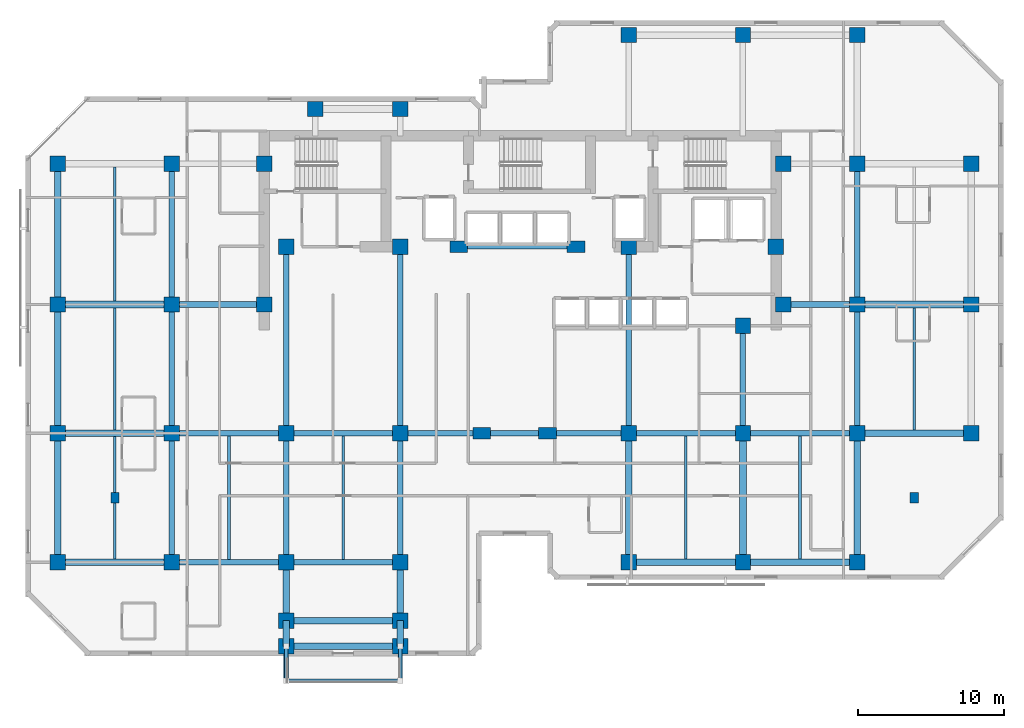
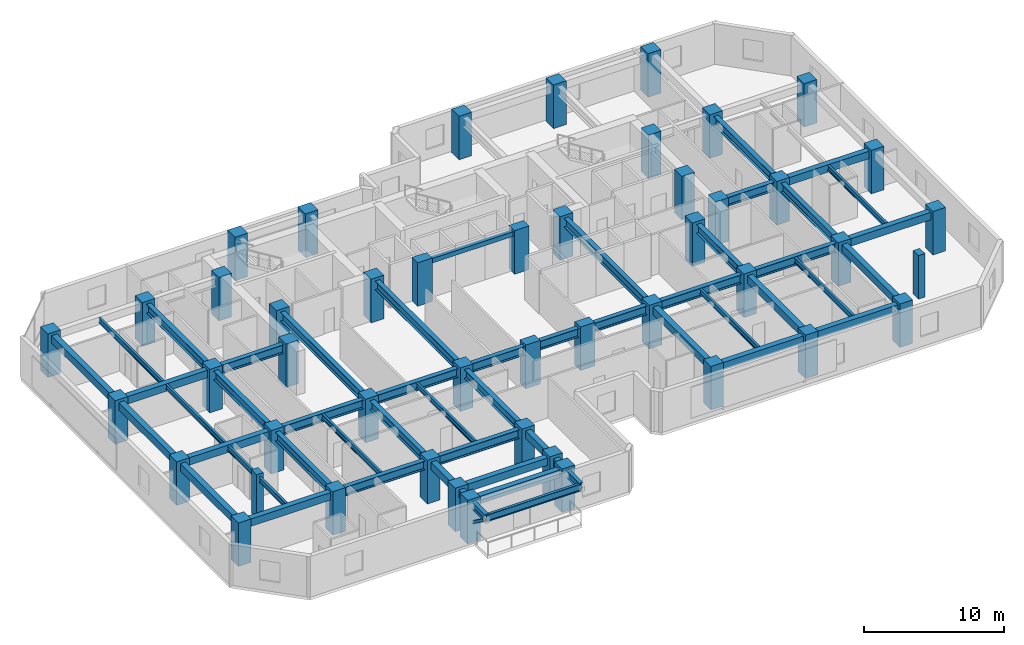
# One storey, part 1 of 11: 53 beams, 47 columns, 2 members.
"""IFC4 building model written with IfcOpenShell, lengths in metres."""

from ifc_helpers import new_model, si_unit, direction, frame, origin, origin_2d, place, context, subcontext, project, spatial, rectangle, hollow_rectangle, i_section, extrude, material, material_profile, profile_set, type_object, element, save


model = new_model("IFC4")

# Units and contexts
model_context = context("Model", 3, precision=1e-05, world=origin(), true_north=direction((0.0, 1.0)))
body_context = subcontext(model_context, "Body", "Model", "MODEL_VIEW")
ifc_project = project(units=[si_unit("LENGTHUNIT", "METRE"), si_unit("AREAUNIT", "SQUARE_METRE"), si_unit("VOLUMEUNIT", "CUBIC_METRE"), si_unit("PLANEANGLEUNIT", "RADIAN"), si_unit("MASSUNIT", "GRAM", prefix="KILO")], contexts=[model_context])

# Site, building, storey
site_placement = place(None, origin())
site = spatial("IfcSite", under=ifc_project, at=site_placement, CompositionType="ELEMENT")
building_placement = place(site_placement, origin())
building = spatial("IfcBuilding", under=site, at=building_placement, Name="Kestravale Grand Hotel", CompositionType="ELEMENT")
storey_placement = place(building_placement, frame((0.0, 0.0, 165.0)))
storey = spatial("IfcBuildingStorey", under=building, at=storey_placement, Name="L41", CompositionType="ELEMENT", Elevation=165.0)

# Columns
ifc_material_1 = material(Name="Concrete f'c 60 MPa", Category="concrete")
ifc_material_profile_1 = material_profile(ifc_material_1, rectangle(XDim=1.050048828125, YDim=1.050048828125, at=origin_2d()))
ifc_profile_set_1 = profile_set([ifc_material_profile_1], Name="Concrete f'c 60 MPa")
column_type_1 = type_object("IfcColumnType", Name="C-Z3-1050", PredefinedType="COLUMN", material=ifc_profile_set_1)
for number, where, z_axis, x_axis, name in (
    (1, (7.800048828125, 11.199951171875, 0.0), (0.0, 0.0, 1.0), (1.0, 0.0, 0.0), "L41 column 2-C"),
    (2, (7.800048828125, 20.0, 0.0), (0.0, 0.0, 1.0), (1.0, 0.0, 0.0), "L41 column 2-D"),
    (3, (7.800048828125, 28.800048828125, 0.0), (0.0, 0.0, 1.0), (1.0, 0.0, 0.0), "L41 column 2-E"),
    (4, (7.800048828125, 38.39990234375, 0.0), (0.0, 0.0, 1.0), (1.0, 0.0, 0.0), "L41 column 2-F"),
    (5, (15.60009765625, 11.199951171875, 0.0), (0.0, 0.0, 1.0), (1.0, 0.0, 0.0), "L41 column 3-C"),
    (6, (15.60009765625, 20.0, 0.0), (0.0, 0.0, 1.0), (1.0, 0.0, 0.0), "L41 column 3-D"),
    (7, (15.60009765625, 28.800048828125, 0.0), (0.0, 0.0, 1.0), (1.0, 0.0, 0.0), "L41 column 3-E"),
    (8, (15.60009765625, 38.39990234375, 0.0), (0.0, 0.0, 1.0), (1.0, 0.0, 0.0), "L41 column 3-F"),
    (9, (23.39990234375, 11.199951171875, 0.0), (0.0, 0.0, 1.0), (1.0, 0.0, 0.0), "L41 column 4-C"),
    (10, (23.39990234375, 20.0, 0.0), (0.0, 0.0, 1.0), (1.0, 0.0, 0.0), "L41 column 4-D"),
    (11, (31.199951171875, 11.199951171875, 0.0), (0.0, 0.0, 1.0), (1.0, 0.0, 0.0), "L41 column 5-C"),
    (12, (31.199951171875, 20.0, 0.0), (0.0, 0.0, 1.0), (1.0, 0.0, 0.0), "L41 column 5-D"),
    (13, (46.800048828125, 11.199951171875, 0.0), (0.0, 0.0, 1.0), (1.0, 0.0, 0.0), "L41 column 8-C"),
    (14, (46.800048828125, 20.0, 0.0), (0.0, 0.0, 1.0), (1.0, 0.0, 0.0), "L41 column 8-D"),
    (15, (46.800048828125, 47.199951171875, 0.0), (0.0, 0.0, 1.0), (1.0, 0.0, 0.0), "L41 column 8-G"),
    (16, (54.60009765625, 11.199951171875, 0.0), (0.0, 0.0, 1.0), (1.0, 0.0, 0.0), "L41 column 9-C"),
    (17, (54.60009765625, 20.0, 0.0), (0.0, 0.0, 1.0), (1.0, 0.0, 0.0), "L41 column 9-D"),
    (18, (54.60009765625, 47.199951171875, 0.0), (0.0, 0.0, 1.0), (1.0, 0.0, 0.0), "L41 column 9-G"),
    (19, (62.39990234375, 11.199951171875, 0.0), (0.0, 0.0, 1.0), (1.0, 0.0, 0.0), "L41 column 10-C"),
    (20, (62.39990234375, 20.0, 0.0), (0.0, 0.0, 1.0), (1.0, 0.0, 0.0), "L41 column 10-D"),
    (21, (62.39990234375, 28.800048828125, 0.0), (0.0, 0.0, 1.0), (1.0, 0.0, 0.0), "L41 column 10-E"),
    (22, (62.39990234375, 38.39990234375, 0.0), (0.0, 0.0, 1.0), (1.0, 0.0, 0.0), "L41 column 10-F"),
    (23, (62.39990234375, 47.199951171875, 0.0), (0.0, 0.0, 1.0), (1.0, 0.0, 0.0), "L41 column 10-G"),
    (24, (70.199951171875, 20.0, 0.0), (0.0, 0.0, 1.0), (1.0, 0.0, 0.0), "L41 column 11-D"),
    (25, (70.199951171875, 28.800048828125, 0.0), (0.0, 0.0, 1.0), (1.0, 0.0, 0.0), "L41 column 11-E"),
    (26, (70.199951171875, 38.39990234375, 0.0), (0.0, 0.0, 1.0), (1.0, 0.0, 0.0), "L41 column 11-F"),
    (27, (21.89990234375, 28.800048828125, 0.0), (0.0, 0.0, 1.0), (1.0, 0.0, 0.0), "L41 column CW-E"),
    (28, (21.89990234375, 38.39990234375, 0.0), (0.0, 0.0, 1.0), (1.0, 0.0, 0.0), "L41 column CW-F"),
    (29, (57.35009765625, 28.800048828125, 0.0), (0.0, 0.0, 1.0), (1.0, 0.0, 0.0), "L41 column CE-E"),
    (30, (57.35009765625, 38.39990234375, 0.0), (0.0, 0.0, 1.0), (1.0, 0.0, 0.0), "L41 column CE-F"),
    (31, (23.39990234375, 32.75, 0.0), (0.0, 0.0, 1.0), (1.0, 0.0, 0.0), "L41 column 4-CS"),
    (32, (31.199951171875, 32.75, 0.0), (0.0, 0.0, 1.0), (1.0, 0.0, 0.0), "L41 column 5-CS"),
    (33, (46.800048828125, 32.75, 0.0), (0.0, 0.0, 1.0), (1.0, 0.0, 0.0), "L41 column 8-CS"),
    (34, (54.60009765625, 27.35009765625, 0.0), (0.0, 0.0, 1.0), (1.0, 0.0, 0.0), "L41 column 9-CS"),
    (35, (56.85009765625, 32.75, 0.0), (0.0, 0.0, 1.0), (1.0, 0.0, 0.0), "L41 column 9C-CS"),
    (36, (23.39990234375, 7.199951171875, 0.0), (0.0, 0.0, 1.0), (1.0, 0.0, 0.0), "L41 column 4-BS"),
    (37, (31.199951171875, 7.199951171875, 0.0), (0.0, 0.0, 1.0), (1.0, 0.0, 0.0), "L41 column 5-BS"),
    (38, (25.39990234375, 42.14990234375, 0.0), (0.0, 0.0, 1.0), (1.0, 0.0, 0.0), "L41 column 4-FN"),
    (39, (31.199951171875, 42.14990234375, 0.0), (0.0, 0.0, 1.0), (1.0, 0.0, 0.0), "L41 column 5-FN"),
    (40, (23.39990234375, 5.449951171875, 0.0), (0.0, 0.0, 1.0), (1.0, 0.0, 0.0), "L41 column 4-B1S"),
    (41, (31.199951171875, 5.449951171875, 0.0), (0.0, 0.0, 1.0), (1.0, 0.0, 0.0), "L41 column 5-B1S"),
):
    element("IfcColumn", number, at=place(storey_placement, frame(where, z_axis=z_axis, x_axis=x_axis)), inside=storey, type_object=column_type_1, Name=name, PredefinedType="COLUMN", context=body_context, shape_type="SweptSolid", body=[
        extrude(rectangle(XDim=1.050048828125, YDim=1.050048828125, at=origin_2d()), origin(), (0.0, 0.0, 1.0), 3.800048828125),
    ])
ifc_material_2 = material(Name="Concrete f'c 60 MPa", Category="concrete")
ifc_material_profile_2 = material_profile(ifc_material_2, rectangle(XDim=1.199951171875, YDim=0.800048828125, at=origin_2d()))
ifc_profile_set_2 = profile_set([ifc_material_profile_2], Name="Concrete f'c 60 MPa")
column_type_2 = type_object("IfcColumnType", Name="C-Z3-1200X800", PredefinedType="COLUMN", material=ifc_profile_set_2)
for number, where, z_axis, x_axis, name in (
    (42, (36.75, 20.0, 0.0), (0.0, 0.0, 1.0), (1.0, 0.0, 0.0), "L41 column 6-D"),
    (43, (41.25, 20.0, 0.0), (0.0, 0.0, 1.0), (1.0, 0.0, 0.0), "L41 column 7-D"),
    (44, (35.199951171875, 32.75, 0.0), (0.0, 0.0, 1.0), (1.0, 0.0, 0.0), "L41 column 6C-CS"),
    (45, (43.199951171875, 32.75, 0.0), (0.0, 0.0, 1.0), (1.0, 0.0, 0.0), "L41 column 7C-CS"),
):
    element("IfcColumn", number, at=place(storey_placement, frame(where, z_axis=z_axis, x_axis=x_axis)), inside=storey, type_object=column_type_2, Name=name, PredefinedType="COLUMN", context=body_context, shape_type="SweptSolid", body=[
        extrude(rectangle(XDim=1.199951171875, YDim=0.800048828125, at=origin_2d()), origin(), (0.0, 0.0, 1.0), 3.800048828125),
    ])
ifc_material_3 = material(Name="Precast concrete f'c 45 MPa", Category="concrete")
ifc_material_profile_3 = material_profile(ifc_material_3, rectangle(XDim=0.550048828125, YDim=0.75, at=origin_2d()))
ifc_profile_set_3 = profile_set([ifc_material_profile_3], Name="Precast concrete f'c 45 MPa")
column_type_3 = type_object("IfcColumnType", Name="C-Z3-PIL750", PredefinedType="PILASTER", material=ifc_profile_set_3)
for number, where, z_axis, x_axis, name in (
    (46, (11.699951171875, 15.60009765625, 0.0), (0.0, 0.0, 1.0), (1.0, 0.0, 0.0), "L41 Art Deco fluted pilaster P1"),
    (47, (66.300048828125, 15.60009765625, 0.0), (0.0, 0.0, 1.0), (1.0, 0.0, 0.0), "L41 Art Deco fluted pilaster P2"),
):
    element("IfcColumn", number, at=place(storey_placement, frame(where, z_axis=z_axis, x_axis=x_axis)), inside=storey, type_object=column_type_3, Name=name, PredefinedType="PILASTER", context=body_context, shape_type="SweptSolid", body=[
        extrude(rectangle(XDim=0.550048828125, YDim=0.75, at=origin_2d()), origin(), (0.0, 0.0, 1.0), 3.800048828125),
    ])

# Beams
ifc_material_4 = material(Name="Steel ASTM A992 Grade 50", Category="steel")
ifc_material_profile_4 = material_profile(ifc_material_4, i_section(OverallWidth=0.19091796875, OverallDepth=0.45703125, WebThickness=0.009033203125, FlangeThickness=0.014404296875, FilletRadius=0.015380859375, at=origin_2d()))
ifc_profile_set_4 = profile_set([ifc_material_profile_4], Name="Steel ASTM A992 Grade 50")
beam_type_1 = type_object("IfcBeamType", Name="B-FLR-JST18", PredefinedType="JOIST", material=ifc_profile_set_4)
for number, where, z_axis, x_axis, name in (
    (48, (11.699951171875, 11.425048828125, 3.321533203125), (0.0, 1.0, 0.0), (-1.0, 0.0, 0.0), "L41 floor joist 2-3/C-D #1"),
    (49, (11.699951171875, 20.22509765625, 3.321533203125), (0.0, 1.0, 0.0), (-1.0, 0.0, 0.0), "L41 floor joist 2-3/D-E #1"),
):
    element("IfcBeam", number, at=place(storey_placement, frame(where, z_axis=z_axis, x_axis=x_axis)), inside=storey, type_object=beam_type_1, Name=name, PredefinedType="JOIST", context=body_context, shape_type="SweptSolid", body=[
        extrude(i_section(OverallWidth=0.19091796875, OverallDepth=0.45703125, WebThickness=0.009033203125, FlangeThickness=0.014404296875, FilletRadius=0.015380859375, at=origin_2d()), origin(), (0.0, 0.0, 1.0), 8.349853515625),
    ])
beam_1_placement = place(storey_placement, frame((11.699951171875, 29.02490234375, 3.321533203125), z_axis=(0.0, 1.0, 0.0), x_axis=(-1.0, 0.0, 0.0)))
element("IfcBeam", 50, at=beam_1_placement, inside=storey, type_object=beam_type_1, Name="L41 floor joist 2-3/E-F #1", PredefinedType="JOIST", context=body_context, shape_type="SweptSolid", body=[
    extrude(i_section(OverallWidth=0.19091796875, OverallDepth=0.45703125, WebThickness=0.009033203125, FlangeThickness=0.014404296875, FilletRadius=0.015380859375, at=origin_2d()), origin(), (0.0, 0.0, 1.0), 9.150146484375),
])
for number, where, z_axis, x_axis, name in (
    (51, (19.5, 11.390380859375, 3.321533203125), (0.0, 1.0, 0.0), (-1.0, 0.0, 0.0), "L41 floor joist 3-4/C-D #1"),
    (52, (27.300048828125, 11.390380859375, 3.321533203125), (0.0, 1.0, 0.0), (-1.0, 0.0, 0.0), "L41 floor joist 4-5/C-D #1"),
):
    element("IfcBeam", number, at=place(storey_placement, frame(where, z_axis=z_axis, x_axis=x_axis)), inside=storey, type_object=beam_type_1, Name=name, PredefinedType="JOIST", context=body_context, shape_type="SweptSolid", body=[
        extrude(i_section(OverallWidth=0.19091796875, OverallDepth=0.45703125, WebThickness=0.009033203125, FlangeThickness=0.014404296875, FilletRadius=0.015380859375, at=origin_2d()), origin(), (0.0, 0.0, 1.0), 8.419189453125),
    ])
for number, where, z_axis, x_axis, name in (
    (53, (50.699951171875, 11.425048828125, 3.321533203125), (0.0, 1.0, 0.0), (-1.0, 0.0, 0.0), "L41 floor joist 8-9/C-D #1"),
    (54, (58.5, 11.425048828125, 3.321533203125), (0.0, 1.0, 0.0), (-1.0, 0.0, 0.0), "L41 floor joist 9-10/C-D #1"),
):
    element("IfcBeam", number, at=place(storey_placement, frame(where, z_axis=z_axis, x_axis=x_axis)), inside=storey, type_object=beam_type_1, Name=name, PredefinedType="JOIST", context=body_context, shape_type="SweptSolid", body=[
        extrude(i_section(OverallWidth=0.19091796875, OverallDepth=0.45703125, WebThickness=0.009033203125, FlangeThickness=0.014404296875, FilletRadius=0.015380859375, at=origin_2d()), origin(), (0.0, 0.0, 1.0), 8.384521484375),
    ])
beam_2_placement = place(storey_placement, frame((66.300048828125, 20.22509765625, 3.321533203125), z_axis=(0.0, 1.0, 0.0), x_axis=(-1.0, 0.0, 0.0)))
element("IfcBeam", 55, at=beam_2_placement, inside=storey, type_object=beam_type_1, Name="L41 floor joist 10-11/D-E #1", PredefinedType="JOIST", context=body_context, shape_type="SweptSolid", body=[
    extrude(i_section(OverallWidth=0.19091796875, OverallDepth=0.45703125, WebThickness=0.009033203125, FlangeThickness=0.014404296875, FilletRadius=0.015380859375, at=origin_2d()), origin(), (0.0, 0.0, 1.0), 8.349853515625),
])
ifc_material_5 = material(Name="Concrete f'c 45 MPa", Category="concrete")
ifc_material_profile_5 = material_profile(ifc_material_5, rectangle(XDim=0.300048828125, YDim=0.39990234375, at=origin_2d()))
ifc_profile_set_5 = profile_set([ifc_material_profile_5], Name="Concrete f'c 45 MPa")
beam_type_2 = type_object("IfcBeamType", Name="B-FLR-LNT400", PredefinedType="LINTEL", material=ifc_profile_set_5)
beam_3_placement = place(storey_placement, frame((35.199951171875, 32.75, 3.35009765625), z_axis=(1.0, 0.0, 0.0), x_axis=(0.0, 1.0, 0.0)))
element("IfcBeam", 56, at=beam_3_placement, inside=storey, type_object=beam_type_2, Name="L41 core portal header lintel", PredefinedType="LINTEL", context=body_context, shape_type="SweptSolid", body=[
    extrude(rectangle(XDim=0.300048828125, YDim=0.39990234375, at=origin_2d()), origin(), (0.0, 0.0, 1.0), 8.0),
])
ifc_material_6 = material(Name="Concrete f'c 45 MPa", Category="concrete")
ifc_material_profile_6 = material_profile(ifc_material_6, rectangle(XDim=0.449951171875, YDim=0.64990234375, at=origin_2d()))
ifc_profile_set_6 = profile_set([ifc_material_profile_6], Name="Concrete f'c 45 MPa")
beam_type_3 = type_object("IfcBeamType", Name="B-FLR-RC650", PredefinedType="SPANDREL", material=ifc_profile_set_6)
for number, where, z_axis, x_axis, name in (
    (57, (7.800048828125, 11.199951171875, 3.22509765625), (1.0, 0.0, 0.0), (0.0, 1.0, 0.0), "L41 spandrel C:2-3"),
    (58, (46.800048828125, 11.199951171875, 3.22509765625), (1.0, 0.0, 0.0), (0.0, 1.0, 0.0), "L41 spandrel C:8-9"),
):
    element("IfcBeam", number, at=place(storey_placement, frame(where, z_axis=z_axis, x_axis=x_axis)), inside=storey, type_object=beam_type_3, Name=name, PredefinedType="SPANDREL", context=body_context, shape_type="SweptSolid", body=[
        extrude(rectangle(XDim=0.449951171875, YDim=0.64990234375, at=origin_2d()), origin(), (0.0, 0.0, 1.0), 7.800048828125),
    ])
beam_4_placement = place(storey_placement, frame((54.60009765625, 11.199951171875, 3.22509765625), z_axis=(1.0, 0.0, 0.0), x_axis=(0.0, 1.0, 0.0)))
element("IfcBeam", 59, at=beam_4_placement, inside=storey, type_object=beam_type_3, Name="L41 spandrel C:9-10", PredefinedType="SPANDREL", context=body_context, shape_type="SweptSolid", body=[
    extrude(rectangle(XDim=0.449951171875, YDim=0.64990234375, at=origin_2d()), origin(), (0.0, 0.0, 1.0), 7.7998046875),
])
for number, where, z_axis, x_axis, name in (
    (60, (7.800048828125, 20.0, 3.22509765625), (1.0, 0.0, 0.0), (0.0, 1.0, 0.0), "L41 spandrel D:2-3"),
    (61, (62.39990234375, 20.0, 3.22509765625), (1.0, 0.0, 0.0), (0.0, 1.0, 0.0), "L41 spandrel D:10-11"),
    (62, (7.800048828125, 28.800048828125, 3.22509765625), (1.0, 0.0, 0.0), (0.0, 1.0, 0.0), "L41 spandrel E:2-3"),
    (63, (62.39990234375, 28.800048828125, 3.22509765625), (1.0, 0.0, 0.0), (0.0, 1.0, 0.0), "L41 spandrel E:10-11"),
    (64, (23.39990234375, 5.449951171875, 3.22509765625), (1.0, 0.0, 0.0), (0.0, 1.0, 0.0), "L41 perimeter tie spandrel B1S:4-5"),
    (65, (23.39990234375, 7.199951171875, 3.22509765625), (1.0, 0.0, 0.0), (0.0, 1.0, 0.0), "L41 perimeter tie spandrel BS:4-5"),
):
    element("IfcBeam", number, at=place(storey_placement, frame(where, z_axis=z_axis, x_axis=x_axis)), inside=storey, type_object=beam_type_3, Name=name, PredefinedType="SPANDREL", context=body_context, shape_type="SweptSolid", body=[
        extrude(rectangle(XDim=0.449951171875, YDim=0.64990234375, at=origin_2d()), origin(), (0.0, 0.0, 1.0), 7.800048828125),
    ])
for number, where, z_axis, x_axis, name in (
    (66, (7.800048828125, 11.199951171875, 3.22509765625), (0.0, 1.0, 0.0), (-1.0, 0.0, 0.0), "L41 spandrel 2:C-D"),
    (67, (7.800048828125, 20.0, 3.22509765625), (0.0, 1.0, 0.0), (-1.0, 0.0, 0.0), "L41 spandrel 2:D-E"),
):
    element("IfcBeam", number, at=place(storey_placement, frame(where, z_axis=z_axis, x_axis=x_axis)), inside=storey, type_object=beam_type_3, Name=name, PredefinedType="SPANDREL", context=body_context, shape_type="SweptSolid", body=[
        extrude(rectangle(XDim=0.449951171875, YDim=0.64990234375, at=origin_2d()), origin(), (0.0, 0.0, 1.0), 8.800048828125),
    ])
beam_5_placement = place(storey_placement, frame((7.800048828125, 28.800048828125, 3.22509765625), z_axis=(0.0, 1.0, 0.0), x_axis=(-1.0, 0.0, 0.0)))
element("IfcBeam", 68, at=beam_5_placement, inside=storey, type_object=beam_type_3, Name="L41 spandrel 2:E-F", PredefinedType="SPANDREL", context=body_context, shape_type="SweptSolid", body=[
    extrude(rectangle(XDim=0.449951171875, YDim=0.64990234375, at=origin_2d()), origin(), (0.0, 0.0, 1.0), 9.599853515625),
])
beam_6_placement = place(storey_placement, frame((23.39990234375, 5.449951171875, 3.22509765625), z_axis=(0.0, 1.0, 0.0), x_axis=(-1.0, 0.0, 0.0)))
element("IfcBeam", 69, at=beam_6_placement, inside=storey, type_object=beam_type_3, Name="L41 spandrel 4:B1S-BS", PredefinedType="SPANDREL", context=body_context, shape_type="SweptSolid", body=[
    extrude(rectangle(XDim=0.449951171875, YDim=0.64990234375, at=origin_2d()), origin(), (0.0, 0.0, 1.0), 1.75),
])
beam_7_placement = place(storey_placement, frame((23.39990234375, 7.199951171875, 3.22509765625), z_axis=(0.0, 1.0, 0.0), x_axis=(-1.0, 0.0, 0.0)))
element("IfcBeam", 70, at=beam_7_placement, inside=storey, type_object=beam_type_3, Name="L41 spandrel 4:BS-C", PredefinedType="SPANDREL", context=body_context, shape_type="SweptSolid", body=[
    extrude(rectangle(XDim=0.449951171875, YDim=0.64990234375, at=origin_2d()), origin(), (0.0, 0.0, 1.0), 4.0),
])
beam_8_placement = place(storey_placement, frame((31.199951171875, 5.449951171875, 3.22509765625), z_axis=(0.0, 1.0, 0.0), x_axis=(-1.0, 0.0, 0.0)))
element("IfcBeam", 71, at=beam_8_placement, inside=storey, type_object=beam_type_3, Name="L41 spandrel 5:B1S-BS", PredefinedType="SPANDREL", context=body_context, shape_type="SweptSolid", body=[
    extrude(rectangle(XDim=0.449951171875, YDim=0.64990234375, at=origin_2d()), origin(), (0.0, 0.0, 1.0), 1.75),
])
beam_9_placement = place(storey_placement, frame((31.199951171875, 7.199951171875, 3.22509765625), z_axis=(0.0, 1.0, 0.0), x_axis=(-1.0, 0.0, 0.0)))
element("IfcBeam", 72, at=beam_9_placement, inside=storey, type_object=beam_type_3, Name="L41 spandrel 5:BS-C", PredefinedType="SPANDREL", context=body_context, shape_type="SweptSolid", body=[
    extrude(rectangle(XDim=0.449951171875, YDim=0.64990234375, at=origin_2d()), origin(), (0.0, 0.0, 1.0), 4.0),
])
for number, where, z_axis, x_axis, name in (
    (73, (46.800048828125, 11.199951171875, 3.22509765625), (0.0, 1.0, 0.0), (-1.0, 0.0, 0.0), "L41 spandrel 8:C-D"),
    (74, (54.60009765625, 11.199951171875, 3.22509765625), (0.0, 1.0, 0.0), (-1.0, 0.0, 0.0), "L41 spandrel 9:C-D"),
    (75, (62.39990234375, 11.199951171875, 3.22509765625), (0.0, 1.0, 0.0), (-1.0, 0.0, 0.0), "L41 spandrel 10:C-D"),
):
    element("IfcBeam", number, at=place(storey_placement, frame(where, z_axis=z_axis, x_axis=x_axis)), inside=storey, type_object=beam_type_3, Name=name, PredefinedType="SPANDREL", context=body_context, shape_type="SweptSolid", body=[
        extrude(rectangle(XDim=0.449951171875, YDim=0.64990234375, at=origin_2d()), origin(), (0.0, 0.0, 1.0), 8.800048828125),
    ])
ifc_material_7 = material(Name="Steel ASTM A992 Grade 50", Category="steel")
ifc_material_profile_7 = material_profile(ifc_material_7, i_section(OverallWidth=0.324951171875, OverallDepth=0.612060546875, WebThickness=0.0126953125, FlangeThickness=0.01904296875, FilletRadius=0.018798828125, at=origin_2d()))
ifc_profile_set_7 = profile_set([ifc_material_profile_7], Name="Steel ASTM A992 Grade 50")
beam_type_4 = type_object("IfcBeamType", Name="B-FLR-W24A", PredefinedType="SPANDREL", material=ifc_profile_set_7)
for number, where, z_axis, x_axis, name in (
    (76, (23.39990234375, 5.449951171875, 3.22412109375), (0.0, -1.0, 0.0), (1.0, 0.0, 0.0), "L42 terrace cantilever beam 1"),
    (77, (31.199951171875, 5.449951171875, 3.22412109375), (0.0, -1.0, 0.0), (1.0, 0.0, 0.0), "L42 terrace cantilever beam 2"),
):
    element("IfcBeam", number, at=place(storey_placement, frame(where, z_axis=z_axis, x_axis=x_axis)), inside=storey, type_object=beam_type_4, Name=name, PredefinedType="SPANDREL", context=body_context, shape_type="SweptSolid", body=[
        extrude(i_section(OverallWidth=0.324951171875, OverallDepth=0.612060546875, WebThickness=0.0126953125, FlangeThickness=0.01904296875, FilletRadius=0.018798828125, at=origin_2d()), origin(), (0.0, 0.0, 1.0), 2.349853515625),
    ])
ifc_material_8 = material(Name="Steel ASTM A992 Grade 50", Category="steel")
ifc_material_profile_8 = material_profile(ifc_material_8, i_section(OverallWidth=0.22900390625, OverallDepth=0.612060546875, WebThickness=0.011962890625, FlangeThickness=0.01953125, FilletRadius=0.019287109375, at=origin_2d()))
ifc_profile_set_8 = profile_set([ifc_material_profile_8], Name="Steel ASTM A992 Grade 50")
beam_type_5 = type_object("IfcBeamType", Name="B-FLR-W24B", PredefinedType="SPANDREL", material=ifc_profile_set_8)
beam_10_placement = place(storey_placement, frame((23.39990234375, 3.10009765625, 3.22412109375), z_axis=(1.0, 0.0, 0.0), x_axis=(0.0, 1.0, 0.0)))
element("IfcBeam", 78, at=beam_10_placement, inside=storey, type_object=beam_type_5, Name="L42 terrace edge spandrel", PredefinedType="SPANDREL", context=body_context, shape_type="SweptSolid", body=[
    extrude(i_section(OverallWidth=0.22900390625, OverallDepth=0.612060546875, WebThickness=0.011962890625, FlangeThickness=0.01953125, FilletRadius=0.019287109375, at=origin_2d()), origin(), (0.0, 0.0, 1.0), 7.800048828125),
])
ifc_material_9 = material(Name="Steel ASTM A992 Grade 50", Category="steel")
ifc_material_profile_9 = material_profile(ifc_material_9, i_section(OverallWidth=0.381103515625, OverallDepth=0.77197265625, WebThickness=0.0166015625, FlangeThickness=0.027099609375, FilletRadius=0.023681640625, at=origin_2d()))
ifc_profile_set_9 = profile_set([ifc_material_profile_9], Name="Steel ASTM A992 Grade 50")
beam_type_6 = type_object("IfcBeamType", Name="B-GRD-W30", PredefinedType="BEAM", material=ifc_profile_set_9)
beam_11_placement = place(storey_placement, frame((15.60009765625, 11.199951171875, 3.1640625), z_axis=(1.0, 0.0, 0.0), x_axis=(0.0, 1.0, 0.0)))
element("IfcBeam", 79, at=beam_11_placement, inside=storey, type_object=beam_type_6, Name="L41 girder C:3-4", PredefinedType="BEAM", context=body_context, shape_type="SweptSolid", body=[
    extrude(i_section(OverallWidth=0.381103515625, OverallDepth=0.77197265625, WebThickness=0.0166015625, FlangeThickness=0.027099609375, FilletRadius=0.023681640625, at=origin_2d()), origin(), (0.0, 0.0, 1.0), 7.7998046875),
])
beam_12_placement = place(storey_placement, frame((23.39990234375, 11.199951171875, 3.1640625), z_axis=(1.0, 0.0, 0.0), x_axis=(0.0, 1.0, 0.0)))
element("IfcBeam", 80, at=beam_12_placement, inside=storey, type_object=beam_type_6, Name="L41 girder C:4-5", PredefinedType="BEAM", context=body_context, shape_type="SweptSolid", body=[
    extrude(i_section(OverallWidth=0.381103515625, OverallDepth=0.77197265625, WebThickness=0.0166015625, FlangeThickness=0.027099609375, FilletRadius=0.023681640625, at=origin_2d()), origin(), (0.0, 0.0, 1.0), 7.800048828125),
])
beam_13_placement = place(storey_placement, frame((15.60009765625, 20.0, 3.1640625), z_axis=(1.0, 0.0, 0.0), x_axis=(0.0, 1.0, 0.0)))
element("IfcBeam", 81, at=beam_13_placement, inside=storey, type_object=beam_type_6, Name="L41 girder D:3-4", PredefinedType="BEAM", context=body_context, shape_type="SweptSolid", body=[
    extrude(i_section(OverallWidth=0.381103515625, OverallDepth=0.77197265625, WebThickness=0.0166015625, FlangeThickness=0.027099609375, FilletRadius=0.023681640625, at=origin_2d()), origin(), (0.0, 0.0, 1.0), 7.7998046875),
])
beam_14_placement = place(storey_placement, frame((23.39990234375, 20.0, 3.1640625), z_axis=(1.0, 0.0, 0.0), x_axis=(0.0, 1.0, 0.0)))
element("IfcBeam", 82, at=beam_14_placement, inside=storey, type_object=beam_type_6, Name="L41 girder D:4-5", PredefinedType="BEAM", context=body_context, shape_type="SweptSolid", body=[
    extrude(i_section(OverallWidth=0.381103515625, OverallDepth=0.77197265625, WebThickness=0.0166015625, FlangeThickness=0.027099609375, FilletRadius=0.023681640625, at=origin_2d()), origin(), (0.0, 0.0, 1.0), 7.800048828125),
])
beam_15_placement = place(storey_placement, frame((31.199951171875, 20.0, 3.1640625), z_axis=(1.0, 0.0, 0.0), x_axis=(0.0, 1.0, 0.0)))
element("IfcBeam", 83, at=beam_15_placement, inside=storey, type_object=beam_type_6, Name="L41 girder D:5-6", PredefinedType="BEAM", context=body_context, shape_type="SweptSolid", body=[
    extrude(i_section(OverallWidth=0.381103515625, OverallDepth=0.77197265625, WebThickness=0.0166015625, FlangeThickness=0.027099609375, FilletRadius=0.023681640625, at=origin_2d()), origin(), (0.0, 0.0, 1.0), 5.550048828125),
])
beam_16_placement = place(storey_placement, frame((36.75, 20.0, 3.1640625), z_axis=(1.0, 0.0, 0.0), x_axis=(0.0, 1.0, 0.0)))
element("IfcBeam", 84, at=beam_16_placement, inside=storey, type_object=beam_type_6, Name="L41 girder D:6-7", PredefinedType="BEAM", context=body_context, shape_type="SweptSolid", body=[
    extrude(i_section(OverallWidth=0.381103515625, OverallDepth=0.77197265625, WebThickness=0.0166015625, FlangeThickness=0.027099609375, FilletRadius=0.023681640625, at=origin_2d()), origin(), (0.0, 0.0, 1.0), 4.5),
])
beam_17_placement = place(storey_placement, frame((41.25, 20.0, 3.1640625), z_axis=(1.0, 0.0, 0.0), x_axis=(0.0, 1.0, 0.0)))
element("IfcBeam", 85, at=beam_17_placement, inside=storey, type_object=beam_type_6, Name="L41 girder D:7-8", PredefinedType="BEAM", context=body_context, shape_type="SweptSolid", body=[
    extrude(i_section(OverallWidth=0.381103515625, OverallDepth=0.77197265625, WebThickness=0.0166015625, FlangeThickness=0.027099609375, FilletRadius=0.023681640625, at=origin_2d()), origin(), (0.0, 0.0, 1.0), 5.550048828125),
])
beam_18_placement = place(storey_placement, frame((46.800048828125, 20.0, 3.1640625), z_axis=(1.0, 0.0, 0.0), x_axis=(0.0, 1.0, 0.0)))
element("IfcBeam", 86, at=beam_18_placement, inside=storey, type_object=beam_type_6, Name="L41 girder D:8-9", PredefinedType="BEAM", context=body_context, shape_type="SweptSolid", body=[
    extrude(i_section(OverallWidth=0.381103515625, OverallDepth=0.77197265625, WebThickness=0.0166015625, FlangeThickness=0.027099609375, FilletRadius=0.023681640625, at=origin_2d()), origin(), (0.0, 0.0, 1.0), 7.800048828125),
])
beam_19_placement = place(storey_placement, frame((54.60009765625, 20.0, 3.1640625), z_axis=(1.0, 0.0, 0.0), x_axis=(0.0, 1.0, 0.0)))
element("IfcBeam", 87, at=beam_19_placement, inside=storey, type_object=beam_type_6, Name="L41 girder D:9-10", PredefinedType="BEAM", context=body_context, shape_type="SweptSolid", body=[
    extrude(i_section(OverallWidth=0.381103515625, OverallDepth=0.77197265625, WebThickness=0.0166015625, FlangeThickness=0.027099609375, FilletRadius=0.023681640625, at=origin_2d()), origin(), (0.0, 0.0, 1.0), 7.7998046875),
])
beam_20_placement = place(storey_placement, frame((15.60009765625, 28.800048828125, 3.1640625), z_axis=(1.0, 0.0, 0.0), x_axis=(0.0, 1.0, 0.0)))
element("IfcBeam", 88, at=beam_20_placement, inside=storey, type_object=beam_type_6, Name="L41 girder E:3-CW", PredefinedType="BEAM", context=body_context, shape_type="SweptSolid", body=[
    extrude(i_section(OverallWidth=0.381103515625, OverallDepth=0.77197265625, WebThickness=0.0166015625, FlangeThickness=0.027099609375, FilletRadius=0.023681640625, at=origin_2d()), origin(), (0.0, 0.0, 1.0), 6.2998046875),
])
beam_21_placement = place(storey_placement, frame((57.35009765625, 28.800048828125, 3.1640625), z_axis=(1.0, 0.0, 0.0), x_axis=(0.0, 1.0, 0.0)))
element("IfcBeam", 89, at=beam_21_placement, inside=storey, type_object=beam_type_6, Name="L41 girder E:CE-10", PredefinedType="BEAM", context=body_context, shape_type="SweptSolid", body=[
    extrude(i_section(OverallWidth=0.381103515625, OverallDepth=0.77197265625, WebThickness=0.0166015625, FlangeThickness=0.027099609375, FilletRadius=0.023681640625, at=origin_2d()), origin(), (0.0, 0.0, 1.0), 5.0498046875),
])
for number, where, z_axis, x_axis, name in (
    (90, (15.60009765625, 11.199951171875, 3.1640625), (0.0, 1.0, 0.0), (-1.0, 0.0, 0.0), "L41 girder 3:C-D"),
    (91, (15.60009765625, 20.0, 3.1640625), (0.0, 1.0, 0.0), (-1.0, 0.0, 0.0), "L41 girder 3:D-E"),
):
    element("IfcBeam", number, at=place(storey_placement, frame(where, z_axis=z_axis, x_axis=x_axis)), inside=storey, type_object=beam_type_6, Name=name, PredefinedType="BEAM", context=body_context, shape_type="SweptSolid", body=[
        extrude(i_section(OverallWidth=0.381103515625, OverallDepth=0.77197265625, WebThickness=0.0166015625, FlangeThickness=0.027099609375, FilletRadius=0.023681640625, at=origin_2d()), origin(), (0.0, 0.0, 1.0), 8.800048828125),
    ])
beam_22_placement = place(storey_placement, frame((15.60009765625, 28.800048828125, 3.1640625), z_axis=(0.0, 1.0, 0.0), x_axis=(-1.0, 0.0, 0.0)))
element("IfcBeam", 92, at=beam_22_placement, inside=storey, type_object=beam_type_6, Name="L41 girder 3:E-F", PredefinedType="BEAM", context=body_context, shape_type="SweptSolid", body=[
    extrude(i_section(OverallWidth=0.381103515625, OverallDepth=0.77197265625, WebThickness=0.0166015625, FlangeThickness=0.027099609375, FilletRadius=0.023681640625, at=origin_2d()), origin(), (0.0, 0.0, 1.0), 9.599853515625),
])
beam_23_placement = place(storey_placement, frame((23.39990234375, 11.199951171875, 3.1640625), z_axis=(0.0, 1.0, 0.0), x_axis=(-1.0, 0.0, 0.0)))
element("IfcBeam", 93, at=beam_23_placement, inside=storey, type_object=beam_type_6, Name="L41 girder 4:C-D", PredefinedType="BEAM", context=body_context, shape_type="SweptSolid", body=[
    extrude(i_section(OverallWidth=0.381103515625, OverallDepth=0.77197265625, WebThickness=0.0166015625, FlangeThickness=0.027099609375, FilletRadius=0.023681640625, at=origin_2d()), origin(), (0.0, 0.0, 1.0), 8.800048828125),
])
beam_24_placement = place(storey_placement, frame((23.39990234375, 20.0, 3.1640625), z_axis=(0.0, 1.0, 0.0), x_axis=(-1.0, 0.0, 0.0)))
element("IfcBeam", 94, at=beam_24_placement, inside=storey, type_object=beam_type_6, Name="L41 girder 4:D-CS", PredefinedType="BEAM", context=body_context, shape_type="SweptSolid", body=[
    extrude(i_section(OverallWidth=0.381103515625, OverallDepth=0.77197265625, WebThickness=0.0166015625, FlangeThickness=0.027099609375, FilletRadius=0.023681640625, at=origin_2d()), origin(), (0.0, 0.0, 1.0), 12.75),
])
beam_25_placement = place(storey_placement, frame((31.199951171875, 11.199951171875, 3.1640625), z_axis=(0.0, 1.0, 0.0), x_axis=(-1.0, 0.0, 0.0)))
element("IfcBeam", 95, at=beam_25_placement, inside=storey, type_object=beam_type_6, Name="L41 girder 5:C-D", PredefinedType="BEAM", context=body_context, shape_type="SweptSolid", body=[
    extrude(i_section(OverallWidth=0.381103515625, OverallDepth=0.77197265625, WebThickness=0.0166015625, FlangeThickness=0.027099609375, FilletRadius=0.023681640625, at=origin_2d()), origin(), (0.0, 0.0, 1.0), 8.800048828125),
])
for number, where, z_axis, x_axis, name in (
    (96, (31.199951171875, 20.0, 3.1640625), (0.0, 1.0, 0.0), (-1.0, 0.0, 0.0), "L41 girder 5:D-CS"),
    (97, (46.800048828125, 20.0, 3.1640625), (0.0, 1.0, 0.0), (-1.0, 0.0, 0.0), "L41 girder 8:D-CS"),
):
    element("IfcBeam", number, at=place(storey_placement, frame(where, z_axis=z_axis, x_axis=x_axis)), inside=storey, type_object=beam_type_6, Name=name, PredefinedType="BEAM", context=body_context, shape_type="SweptSolid", body=[
        extrude(i_section(OverallWidth=0.381103515625, OverallDepth=0.77197265625, WebThickness=0.0166015625, FlangeThickness=0.027099609375, FilletRadius=0.023681640625, at=origin_2d()), origin(), (0.0, 0.0, 1.0), 12.75),
    ])
beam_26_placement = place(storey_placement, frame((54.60009765625, 20.0, 3.1640625), z_axis=(0.0, 1.0, 0.0), x_axis=(-1.0, 0.0, 0.0)))
element("IfcBeam", 98, at=beam_26_placement, inside=storey, type_object=beam_type_6, Name="L41 girder 9:D-CS", PredefinedType="BEAM", context=body_context, shape_type="SweptSolid", body=[
    extrude(i_section(OverallWidth=0.381103515625, OverallDepth=0.77197265625, WebThickness=0.0166015625, FlangeThickness=0.027099609375, FilletRadius=0.023681640625, at=origin_2d()), origin(), (0.0, 0.0, 1.0), 7.35009765625),
])
beam_27_placement = place(storey_placement, frame((62.39990234375, 20.0, 3.1640625), z_axis=(0.0, 1.0, 0.0), x_axis=(-1.0, 0.0, 0.0)))
element("IfcBeam", 99, at=beam_27_placement, inside=storey, type_object=beam_type_6, Name="L41 girder 10:D-E", PredefinedType="BEAM", context=body_context, shape_type="SweptSolid", body=[
    extrude(i_section(OverallWidth=0.381103515625, OverallDepth=0.77197265625, WebThickness=0.0166015625, FlangeThickness=0.027099609375, FilletRadius=0.023681640625, at=origin_2d()), origin(), (0.0, 0.0, 1.0), 8.800048828125),
])
beam_28_placement = place(storey_placement, frame((62.39990234375, 28.800048828125, 3.1640625), z_axis=(0.0, 1.0, 0.0), x_axis=(-1.0, 0.0, 0.0)))
element("IfcBeam", 100, at=beam_28_placement, inside=storey, type_object=beam_type_6, Name="L41 girder 10:E-F", PredefinedType="BEAM", context=body_context, shape_type="SweptSolid", body=[
    extrude(i_section(OverallWidth=0.381103515625, OverallDepth=0.77197265625, WebThickness=0.0166015625, FlangeThickness=0.027099609375, FilletRadius=0.023681640625, at=origin_2d()), origin(), (0.0, 0.0, 1.0), 9.599853515625),
])

# Members
ifc_material_10 = material(Name="Steel ASTM A500 Grade C", Category="steel")
ifc_material_profile_10 = material_profile(ifc_material_10, hollow_rectangle(XDim=0.25, YDim=0.25, WallThickness=0.011962890625, InnerFilletRadius=0.011962890625, OuterFilletRadius=0.02392578125, at=origin_2d()))
ifc_profile_set_10 = profile_set([ifc_material_profile_10], Name="Steel ASTM A500 Grade C")
member_type = type_object("IfcMemberType", Name="M-BLT-STR250", PredefinedType="STRUT", material=ifc_profile_set_10)
for number, where, z_axis, x_axis, name in (
    (101, (23.39990234375, 5.449951171875, 1.3740234375), (0.0, -0.810215054775, 0.586132719626), (1.0, 0.0, 0.0), "L42 terrace knee-brace strut 1"),
    (102, (31.199951171875, 5.449951171875, 1.3740234375), (0.0, -0.810215054775, 0.586132719626), (1.0, 0.0, 0.0), "L42 terrace knee-brace strut 2"),
):
    element("IfcMember", number, at=place(storey_placement, frame(where, z_axis=z_axis, x_axis=x_axis)), inside=storey, type_object=member_type, Name=name, PredefinedType="STRUT", context=body_context, shape_type="SweptSolid", body=[
        extrude(hollow_rectangle(XDim=0.25, YDim=0.25, WallThickness=0.011962890625, InnerFilletRadius=0.011962890625, OuterFilletRadius=0.02392578125, at=origin_2d()), origin(), (0.0, 0.0, 1.0), 2.900390625),
    ])

save(model, "model.ifc")
